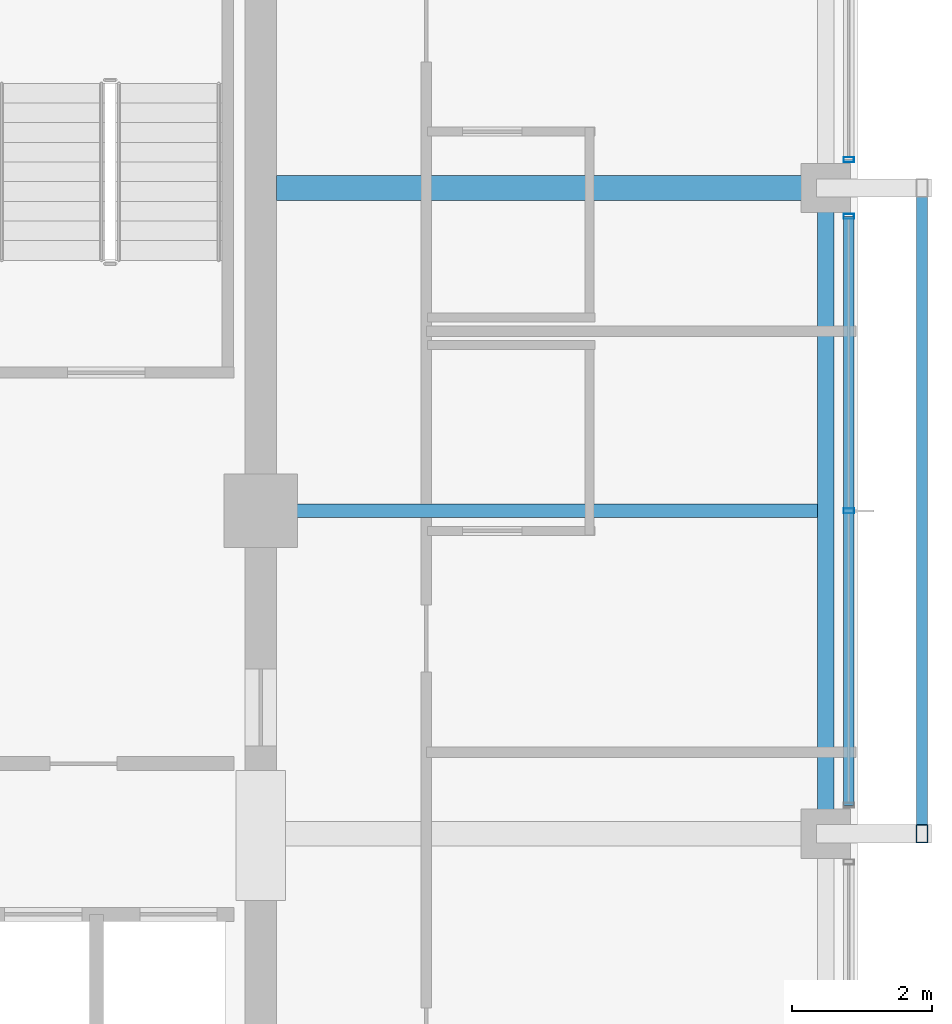
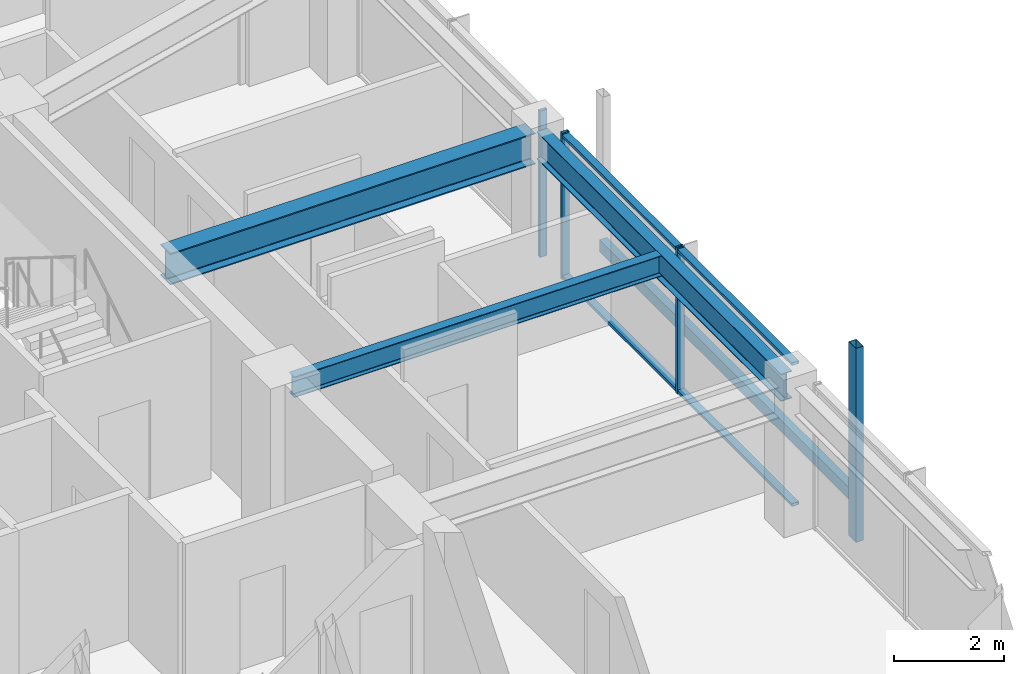
# One storey, part 13 of 34: 7 members, 3 beams, 2 elements without a shape of their own.
"""IFC4 building model written with IfcOpenShell, lengths in metres."""

from ifc_helpers import new_model, si_unit, direction, frame, origin, origin_2d, place, context, subcontext, project, spatial, hollow_rectangle, i_section, extrude, material, material_profile, profile_set, type_object, element, aggregate, save


model = new_model("IFC4")

# Units and contexts
model_context = context("Model", 3, precision=1e-05, world=origin(), true_north=direction((0.0, 1.0)))
body_context = subcontext(model_context, "Body", "Model", "MODEL_VIEW")
ifc_project = project(units=[si_unit("LENGTHUNIT", "METRE"), si_unit("AREAUNIT", "SQUARE_METRE"), si_unit("VOLUMEUNIT", "CUBIC_METRE"), si_unit("PLANEANGLEUNIT", "RADIAN"), si_unit("MASSUNIT", "GRAM", prefix="KILO")], contexts=[model_context])

# Site, building, storey
site_placement = place(None, origin())
site = spatial("IfcSite", under=ifc_project, at=site_placement, CompositionType="ELEMENT")
building_placement = place(site_placement, origin())
building = spatial("IfcBuilding", under=site, at=building_placement, Name="Kolvaren Belvedere", CompositionType="ELEMENT")
storey_placement = place(building_placement, frame((0.0, 0.0, 240.89990234375)))
storey = spatial("IfcBuildingStorey", under=building, at=storey_placement, Name="L70", CompositionType="ELEMENT", Elevation=240.89990234375)

# Beams
ifc_material_1 = material(Name="Structural steel ASTM A992 Grade 50", Category="steel")
ifc_material_profile_1 = material_profile(ifc_material_1, i_section(OverallWidth=0.35498046875, OverallDepth=0.696044921875, WebThickness=0.015380859375, FlangeThickness=0.02490234375, FilletRadius=0.02197265625, at=origin_2d()), Name="W27X146")
ifc_profile_set_1 = profile_set([ifc_material_profile_1], Name="Structural steel ASTM A992 Grade 50")
beam_type_1 = type_object("IfcBeamType", Name="BM-GIRD-W27X146", PredefinedType="BEAM", material=ifc_profile_set_1)
beam_1_placement = place(storey_placement, frame((10.125, 4.60009765625, 2.902099609375), z_axis=(1.0, 0.0, 0.0), x_axis=(0.0, 1.0, 0.0)))
element("IfcBeam", 1, at=beam_1_placement, inside=storey, type_object=beam_type_1, Name="L70 East Radial Girder P", PredefinedType="BEAM", context=body_context, shape_type="SweptSolid", body=[
    extrude(i_section(OverallWidth=0.35498046875, OverallDepth=0.696044921875, WebThickness=0.015380859375, FlangeThickness=0.02490234375, FilletRadius=0.02197265625, at=origin_2d()), origin(), (0.0, 0.0, 1.0), 7.66748046875),
])
ifc_material_2 = material(Name="Structural steel ASTM A992 Grade 50", Category="steel")
ifc_material_profile_2 = material_profile(ifc_material_2, i_section(OverallWidth=0.19091796875, OverallDepth=0.4599609375, WebThickness=0.010009765625, FlangeThickness=0.01611328125, FilletRadius=0.014892578125, at=origin_2d()), Name="W18X55")
ifc_profile_set_2 = profile_set([ifc_material_profile_2], Name="Structural steel ASTM A992 Grade 50")
beam_type_2 = type_object("IfcBeamType", Name="BM-JOIST-W18X55", PredefinedType="BEAM", material=ifc_profile_set_2)
beam_2_placement = place(storey_placement, frame((10.125, 0.0, 3.02001953125), z_axis=(1.0, 0.0, 0.0), x_axis=(0.0, 1.0, 0.0)))
element("IfcBeam", 2, at=beam_2_placement, inside=storey, type_object=beam_type_2, Name="L70 East Centre Floor Beam", PredefinedType="BEAM", context=body_context, shape_type="SweptSolid", body=[
    extrude(i_section(OverallWidth=0.19091796875, OverallDepth=0.4599609375, WebThickness=0.010009765625, FlangeThickness=0.01611328125, FilletRadius=0.014892578125, at=origin_2d()), origin(), (0.0, 0.0, 1.0), 7.71044921875),
])
ifc_material_3 = material(Name="Structural steel ASTM A992 Grade 50", Category="steel")
ifc_material_profile_3 = material_profile(ifc_material_3, i_section(OverallWidth=0.22900390625, OverallDepth=0.612060546875, WebThickness=0.011962890625, FlangeThickness=0.01953125, FilletRadius=0.01806640625, at=origin_2d()), Name="W24X84")
ifc_profile_set_3 = profile_set([ifc_material_profile_3], Name="Structural steel ASTM A992 Grade 50")
beam_type_3 = type_object("IfcBeamType", Name="BM-SPAN-W24X84", PredefinedType="SPANDREL", material=ifc_profile_set_3)
beam_3_placement = place(storey_placement, frame((17.949951171875, -4.4423828125, 2.944091796875), z_axis=(0.0, 1.0, 0.0), x_axis=(-1.0, 0.0, 0.0)))
element("IfcBeam", 3, at=beam_3_placement, inside=storey, type_object=beam_type_3, Name="L70 Perimeter Spandrel E2-E3", PredefinedType="SPANDREL", context=body_context, shape_type="SweptSolid", body=[
    extrude(i_section(OverallWidth=0.22900390625, OverallDepth=0.612060546875, WebThickness=0.011962890625, FlangeThickness=0.01953125, FilletRadius=0.01806640625, at=origin_2d()), origin(), (0.0, 0.0, 1.0), 8.884765625),
])

# Curtain wall, member
ifc_material_4 = material(Name="Anodised pale-metal aluminium AA 6063-T6", Category="aluminium")
curtain_wall_type = type_object("IfcCurtainWallType", Name="CW-Z5-HIGH", PredefinedType="NOTDEFINED", material=ifc_material_4)
curtain_wall_1_placement = place(storey_placement, origin())
curtain_wall_1 = element("IfcCurtainWall", 4, at=curtain_wall_1_placement, inside=storey, type_object=curtain_wall_type, Name="L70 Unitised Curtain Wall FCW-L70-E-B1", PredefinedType="NOTDEFINED")
ifc_material_5 = material(Name="Anodised pale-metal aluminium AA 6063-T6", Category="aluminium")
ifc_material_profile_4 = material_profile(ifc_material_5, hollow_rectangle(XDim=0.070068359375, YDim=0.14990234375, WallThickness=0.004150390625, at=origin_2d()), Name="ALU-MUL-150X70")
ifc_profile_set_4 = profile_set([ifc_material_profile_4], Name="Anodised pale-metal aluminium AA 6063-T6")
member_type_1 = type_object("IfcMemberType", Name="CW-MUL-150", PredefinedType="MULLION", material=ifc_profile_set_4)
member_1_placement = place(storey_placement, frame((18.280029296875, 5.0048828125, 0.0), z_axis=(0.0, 0.0, 1.0), x_axis=(0.0, 1.0, 0.0)))
member_1 = element("IfcMember", 5, at=member_1_placement, type_object=member_type_1, Name="FCW-L70-E-B1 Unitised Mullion 3", PredefinedType="MULLION", context=body_context, shape_type="SweptSolid", body=[
    extrude(hollow_rectangle(XDim=0.070068359375, YDim=0.14990234375, WallThickness=0.004150390625, at=origin_2d()), origin(), (0.0, 0.0, 1.0), 3.25),
])
aggregate(curtain_wall_1, [member_1])

# Curtain wall, members
curtain_wall_2_placement = place(storey_placement, origin())
curtain_wall_2 = element("IfcCurtainWall", 6, at=curtain_wall_2_placement, inside=storey, type_object=curtain_wall_type, Name="L70 Unitised Curtain Wall FCW-L70-E-B2", PredefinedType="NOTDEFINED")
member_2_placement = place(storey_placement, frame((18.280029296875, 4.195068359375, 0.0), z_axis=(0.0, 0.0, 1.0), x_axis=(0.0, 1.0, 0.0)))
member_2 = element("IfcMember", 7, at=member_2_placement, type_object=member_type_1, Name="FCW-L70-E-B2 Unitised Mullion 1", PredefinedType="MULLION", context=body_context, shape_type="SweptSolid", body=[
    extrude(hollow_rectangle(XDim=0.070068359375, YDim=0.14990234375, WallThickness=0.004150390625, at=origin_2d()), origin(), (0.0, 0.0, 1.0), 3.25),
])
member_3_placement = place(storey_placement, frame((18.280029296875, 0.0, 0.0), z_axis=(0.0, 0.0, 1.0), x_axis=(0.0, 1.0, 0.0)))
member_3 = element("IfcMember", 8, at=member_3_placement, type_object=member_type_1, Name="FCW-L70-E-B2 Unitised Mullion 2", PredefinedType="MULLION", context=body_context, shape_type="SweptSolid", body=[
    extrude(hollow_rectangle(XDim=0.070068359375, YDim=0.14990234375, WallThickness=0.004150390625, at=origin_2d()), origin(), (0.0, 0.0, 1.0), 3.25),
])
ifc_material_6 = material(Name="Anodised pale-metal aluminium AA 6063-T6", Category="aluminium")
ifc_material_profile_5 = material_profile(ifc_material_6, hollow_rectangle(XDim=0.06494140625, YDim=0.14990234375, WallThickness=0.00390625, at=origin_2d()), Name="ALU-TRN-150X65")
ifc_profile_set_5 = profile_set([ifc_material_profile_5], Name="Anodised pale-metal aluminium AA 6063-T6")
member_type_2 = type_object("IfcMemberType", Name="CW-TRN-150", PredefinedType="USERDEFINED", material=ifc_profile_set_5)
member_4_placement = place(storey_placement, frame((18.280029296875, 4.195068359375, 0.06005859375), z_axis=(0.0, -1.0, 0.0), x_axis=(0.0, 0.0, 1.0)))
member_4 = element("IfcMember", 9, at=member_4_placement, type_object=member_type_2, Name="FCW-L70-E-B2 Sill Transom", ObjectType="TRANSOM", PredefinedType="USERDEFINED", context=body_context, shape_type="SweptSolid", body=[
    extrude(hollow_rectangle(XDim=0.06494140625, YDim=0.14990234375, WallThickness=0.00390625, at=origin_2d()), origin(), (0.0, 0.0, 1.0), 8.39013671875),
])
member_5_placement = place(storey_placement, frame((18.280029296875, 4.195068359375, 3.190185546875), z_axis=(0.0, -1.0, 0.0), x_axis=(0.0, 0.0, 1.0)))
member_5 = element("IfcMember", 10, at=member_5_placement, type_object=member_type_2, Name="FCW-L70-E-B2 Head Transom", ObjectType="TRANSOM", PredefinedType="USERDEFINED", context=body_context, shape_type="SweptSolid", body=[
    extrude(hollow_rectangle(XDim=0.06494140625, YDim=0.14990234375, WallThickness=0.00390625, at=origin_2d()), origin(), (0.0, 0.0, 1.0), 8.39013671875),
])
aggregate(curtain_wall_2, [member_2, member_3, member_4, member_5])

# Members
ifc_material_7 = material(Name="Anodised pale-metal aluminium AA 6063-T6", Category="aluminium")
ifc_material_profile_6 = material_profile(ifc_material_7, hollow_rectangle(XDim=0.159912109375, YDim=0.260009765625, WallThickness=0.006591796875, at=origin_2d()), Name="ALU-PF-260X160")
ifc_profile_set_6 = profile_set([ifc_material_profile_6], Name="Anodised pale-metal aluminium AA 6063-T6")
member_type_3 = type_object("IfcMemberType", Name="PF-FRAME-260", PredefinedType="USERDEFINED", material=ifc_profile_set_6)
member_6_placement = place(storey_placement, frame((19.320068359375, -4.60009765625, -0.809814453125), z_axis=(0.0, 0.0, 1.0), x_axis=(1.0, 0.0, 0.0)))
element("IfcMember", 11, at=member_6_placement, inside=storey, type_object=member_type_3, Name="L70 Outboard Picture-Frame Vertical E2", ObjectType="PICTURE FRAME FIN", PredefinedType="USERDEFINED", context=body_context, shape_type="SweptSolid", body=[
    extrude(hollow_rectangle(XDim=0.159912109375, YDim=0.260009765625, WallThickness=0.006591796875, at=origin_2d()), origin(), (0.0, 0.0, 1.0), 4.309814453125),
])
member_7_placement = place(storey_placement, frame((19.320068359375, 4.60009765625, 0.130126953125), z_axis=(0.0, -1.0, 0.0), x_axis=(1.0, 0.0, 0.0)))
element("IfcMember", 12, at=member_7_placement, inside=storey, type_object=member_type_3, Name="L70 Outboard Picture-Frame Sill E", ObjectType="PICTURE FRAME FIN", PredefinedType="USERDEFINED", context=body_context, shape_type="SweptSolid", body=[
    extrude(hollow_rectangle(XDim=0.159912109375, YDim=0.260009765625, WallThickness=0.006591796875, at=origin_2d()), origin(), (0.0, 0.0, 1.0), 9.2001953125),
])

save(model, "model.ifc")
